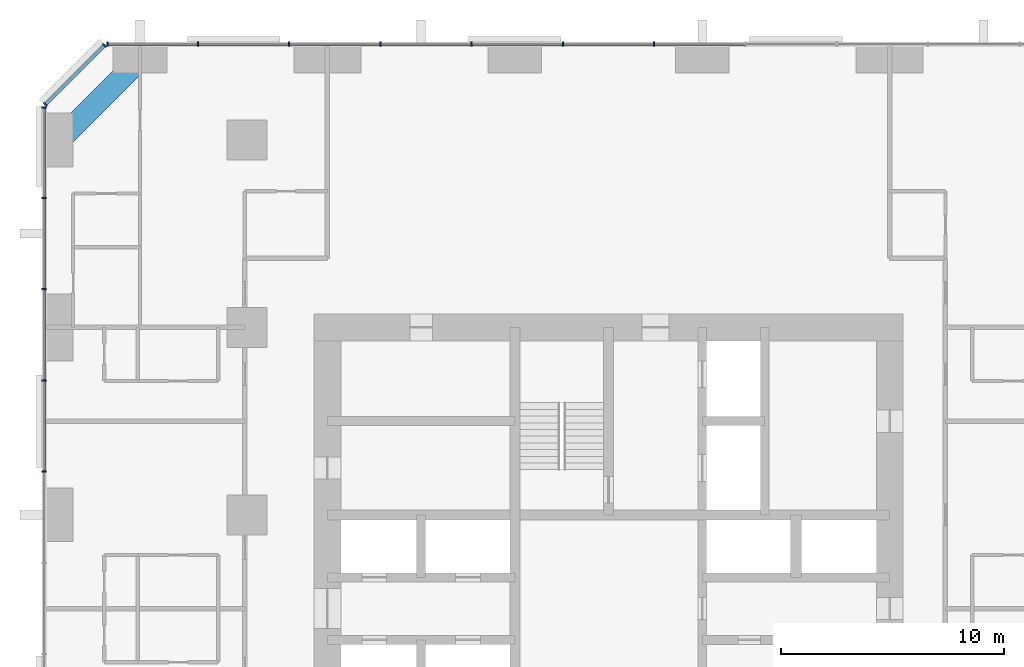
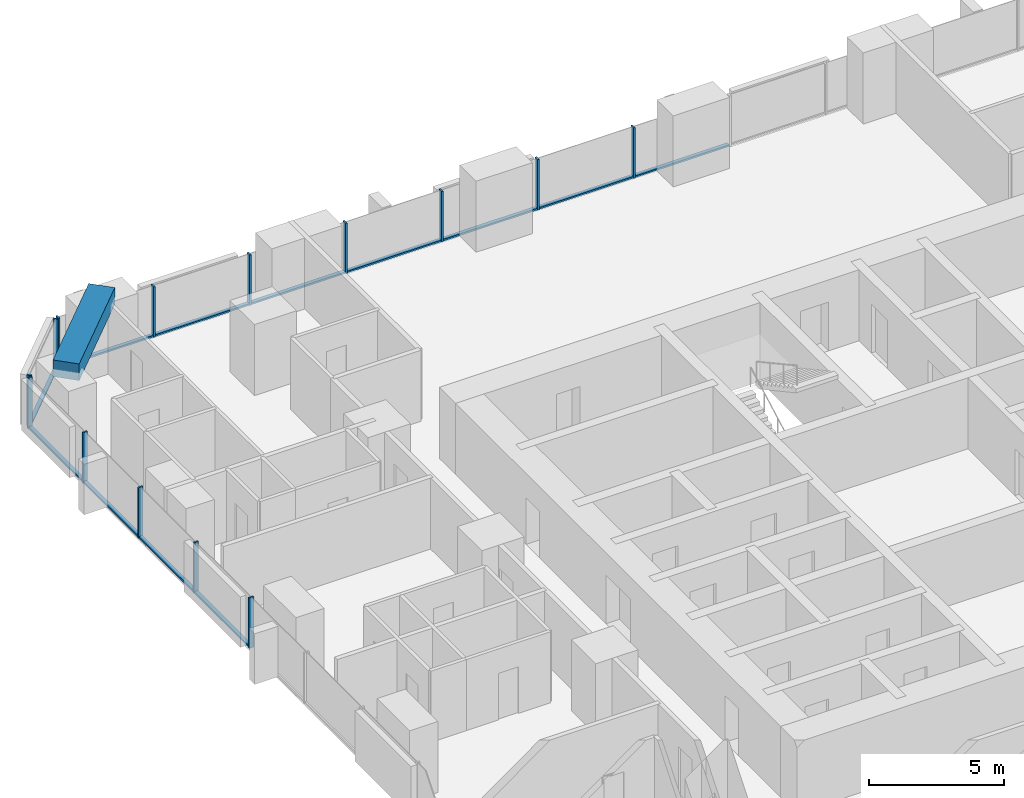
# One storey, part 5 of 13: 26 members, 1 beam, 3 elements without a shape of their own.
"""IFC4 building model written with IfcOpenShell, lengths in metres."""

from ifc_helpers import new_model, si_unit, direction, frame, origin, origin_2d, place, context, subcontext, project, spatial, rectangle, extrude, material, material_profile, profile_set, type_object, element, aggregate, save


model = new_model("IFC4")

# Units and contexts
model_context = context("Model", 3, precision=1e-05, world=origin(), true_north=direction((0.0, 1.0)))
body_context = subcontext(model_context, "Body", "Model", "MODEL_VIEW")
ifc_project = project(units=[si_unit("LENGTHUNIT", "METRE"), si_unit("AREAUNIT", "SQUARE_METRE"), si_unit("VOLUMEUNIT", "CUBIC_METRE"), si_unit("PLANEANGLEUNIT", "RADIAN"), si_unit("MASSUNIT", "GRAM", prefix="KILO")], contexts=[model_context])

# Site, building, storey
site_placement = place(None, origin())
site = spatial("IfcSite", under=ifc_project, at=site_placement, CompositionType="ELEMENT")
building_placement = place(site_placement, origin())
building = spatial("IfcBuilding", under=site, at=building_placement, Name="Dunama Terrace Hotel", CompositionType="ELEMENT")
storey_placement = place(building_placement, frame((0.0, 0.0, 216.60009765625)))
storey = spatial("IfcBuildingStorey", under=building, at=storey_placement, Name="L56", CompositionType="ELEMENT", Elevation=216.60009765625)

# Curtain wall, members
ifc_material_1 = material(Name="Aluminium curtain wall system", Category="aluminium")
curtain_wall_type = type_object("IfcCurtainWallType", Name="Unitised fritted glass wall CW-C", PredefinedType="NOTDEFINED", material=ifc_material_1)
curtain_wall_1_placement = place(storey_placement, origin())
curtain_wall_1 = element("IfcCurtainWall", 1, at=curtain_wall_1_placement, inside=storey, type_object=curtain_wall_type, Name="Unitised fritted glass wall CW-C L56", PredefinedType="NOTDEFINED")
ifc_material_2 = material(Name="Aluminium mullion", Category="aluminium")
ifc_material_profile_1 = material_profile(ifc_material_2, rectangle(XDim=0.070068359375, YDim=0.199951171875, at=origin_2d()), Name="CWC MULLION 70X200")
ifc_profile_set_1 = profile_set([ifc_material_profile_1], Name="Aluminium mullion")
member_type_1 = type_object("IfcMemberType", Name="CWC mullion 70x200", PredefinedType="MULLION", material=ifc_profile_set_1)
member_1_placement = place(storey_placement, frame((31.445068359375, 54.699951171875, 0.0), z_axis=(0.0, 0.0, 1.0), x_axis=(-1.0, 0.0, 0.0)))
member_1 = element("IfcMember", 2, at=member_1_placement, type_object=member_type_1, Name="CWC mullion", PredefinedType="MULLION", context=body_context, shape_type="SweptSolid", body=[
    extrude(rectangle(XDim=0.070068359375, YDim=0.199951171875, at=origin_2d()), origin(), (0.0, 0.0, 1.0), 2.27880859375),
])
member_2_placement = place(storey_placement, frame((27.35498046875, 54.699951171875, 0.0), z_axis=(0.0, 0.0, 1.0), x_axis=(-1.0, 0.0, 0.0)))
member_2 = element("IfcMember", 3, at=member_2_placement, type_object=member_type_1, Name="CWC mullion", PredefinedType="MULLION", context=body_context, shape_type="SweptSolid", body=[
    extrude(rectangle(XDim=0.070068359375, YDim=0.199951171875, at=origin_2d()), origin(), (0.0, 0.0, 1.0), 2.27880859375),
])
member_3_placement = place(storey_placement, frame((23.263916015625, 54.699951171875, 0.0), z_axis=(0.0, 0.0, 1.0), x_axis=(-1.0, 0.0, 0.0)))
member_3 = element("IfcMember", 4, at=member_3_placement, type_object=member_type_1, Name="CWC mullion", PredefinedType="MULLION", context=body_context, shape_type="SweptSolid", body=[
    extrude(rectangle(XDim=0.070068359375, YDim=0.199951171875, at=origin_2d()), origin(), (0.0, 0.0, 1.0), 2.27880859375),
])
member_4_placement = place(storey_placement, frame((19.173095703125, 54.699951171875, 0.0), z_axis=(0.0, 0.0, 1.0), x_axis=(-1.0, 0.0, 0.0)))
member_4 = element("IfcMember", 5, at=member_4_placement, type_object=member_type_1, Name="CWC mullion", PredefinedType="MULLION", context=body_context, shape_type="SweptSolid", body=[
    extrude(rectangle(XDim=0.070068359375, YDim=0.199951171875, at=origin_2d()), origin(), (0.0, 0.0, 1.0), 2.27880859375),
])
member_5_placement = place(storey_placement, frame((15.08203125, 54.699951171875, 0.0), z_axis=(0.0, 0.0, 1.0), x_axis=(-1.0, 0.0, 0.0)))
member_5 = element("IfcMember", 6, at=member_5_placement, type_object=member_type_1, Name="CWC mullion", PredefinedType="MULLION", context=body_context, shape_type="SweptSolid", body=[
    extrude(rectangle(XDim=0.070068359375, YDim=0.199951171875, at=origin_2d()), origin(), (0.0, 0.0, 1.0), 2.27880859375),
])
member_6_placement = place(storey_placement, frame((10.990966796875, 54.699951171875, 0.0), z_axis=(0.0, 0.0, 1.0), x_axis=(-1.0, 0.0, 0.0)))
member_6 = element("IfcMember", 7, at=member_6_placement, type_object=member_type_1, Name="CWC mullion", PredefinedType="MULLION", context=body_context, shape_type="SweptSolid", body=[
    extrude(rectangle(XDim=0.070068359375, YDim=0.199951171875, at=origin_2d()), origin(), (0.0, 0.0, 1.0), 2.27880859375),
])
member_7_placement = place(storey_placement, frame((6.93505859375, 54.699951171875, 0.0), z_axis=(0.0, 0.0, 1.0), x_axis=(-1.0, 0.0, 0.0)))
member_7 = element("IfcMember", 8, at=member_7_placement, type_object=member_type_1, Name="CWC mullion", PredefinedType="MULLION", context=body_context, shape_type="SweptSolid", body=[
    extrude(rectangle(XDim=0.070068359375, YDim=0.199951171875, at=origin_2d()), origin(), (0.0, 0.0, 1.0), 2.27880859375),
])

curtain_wall_2_placement = place(storey_placement, origin())
curtain_wall_2 = element("IfcCurtainWall", 9, at=curtain_wall_2_placement, inside=storey, type_object=curtain_wall_type, Name="Unitised fritted glass wall CW-C L56", PredefinedType="NOTDEFINED")
member_8_placement = place(storey_placement, frame((6.804931640625, 54.64599609375, 0.0), z_axis=(0.0, 0.0, 1.0), x_axis=(-0.707106781187, -0.707106781187, 0.0)))
member_8 = element("IfcMember", 10, at=member_8_placement, type_object=member_type_1, Name="CWC mullion", PredefinedType="MULLION", context=body_context, shape_type="SweptSolid", body=[
    extrude(rectangle(XDim=0.070068359375, YDim=0.199951171875, at=origin_2d()), origin(), (0.0, 0.0, 1.0), 2.27880859375),
])
member_9_placement = place(storey_placement, frame((4.154052734375, 51.9951171875, 0.0), z_axis=(0.0, 0.0, 1.0), x_axis=(-0.707106781187, -0.707106781187, 0.0)))
member_9 = element("IfcMember", 11, at=member_9_placement, type_object=member_type_1, Name="CWC mullion", PredefinedType="MULLION", context=body_context, shape_type="SweptSolid", body=[
    extrude(rectangle(XDim=0.070068359375, YDim=0.199951171875, at=origin_2d()), origin(), (0.0, 0.0, 1.0), 2.27880859375),
])

curtain_wall_3_placement = place(storey_placement, origin())
curtain_wall_3 = element("IfcCurtainWall", 12, at=curtain_wall_3_placement, inside=storey, type_object=curtain_wall_type, Name="Unitised fritted glass wall CW-C L56", PredefinedType="NOTDEFINED")
member_10_placement = place(storey_placement, frame((4.10009765625, 51.864990234375, 0.0), z_axis=(0.0, 0.0, 1.0), x_axis=(0.0, -1.0, 0.0)))
member_10 = element("IfcMember", 13, at=member_10_placement, type_object=member_type_1, Name="CWC mullion", PredefinedType="MULLION", context=body_context, shape_type="SweptSolid", body=[
    extrude(rectangle(XDim=0.070068359375, YDim=0.199951171875, at=origin_2d()), origin(), (0.0, 0.0, 1.0), 2.27880859375),
])
member_11_placement = place(storey_placement, frame((4.10009765625, 47.80908203125, 0.0), z_axis=(0.0, 0.0, 1.0), x_axis=(0.0, -1.0, 0.0)))
member_11 = element("IfcMember", 14, at=member_11_placement, type_object=member_type_1, Name="CWC mullion", PredefinedType="MULLION", context=body_context, shape_type="SweptSolid", body=[
    extrude(rectangle(XDim=0.070068359375, YDim=0.199951171875, at=origin_2d()), origin(), (0.0, 0.0, 1.0), 2.27880859375),
])
member_12_placement = place(storey_placement, frame((4.10009765625, 43.718017578125, 0.0), z_axis=(0.0, 0.0, 1.0), x_axis=(0.0, -1.0, 0.0)))
member_12 = element("IfcMember", 15, at=member_12_placement, type_object=member_type_1, Name="CWC mullion", PredefinedType="MULLION", context=body_context, shape_type="SweptSolid", body=[
    extrude(rectangle(XDim=0.070068359375, YDim=0.199951171875, at=origin_2d()), origin(), (0.0, 0.0, 1.0), 2.27880859375),
])
member_13_placement = place(storey_placement, frame((4.10009765625, 39.626953125, 0.0), z_axis=(0.0, 0.0, 1.0), x_axis=(0.0, -1.0, 0.0)))
member_13 = element("IfcMember", 16, at=member_13_placement, type_object=member_type_1, Name="CWC mullion", PredefinedType="MULLION", context=body_context, shape_type="SweptSolid", body=[
    extrude(rectangle(XDim=0.070068359375, YDim=0.199951171875, at=origin_2d()), origin(), (0.0, 0.0, 1.0), 2.27880859375),
])
member_14_placement = place(storey_placement, frame((4.10009765625, 35.535888671875, 0.0), z_axis=(0.0, 0.0, 1.0), x_axis=(0.0, -1.0, 0.0)))
member_14 = element("IfcMember", 17, at=member_14_placement, type_object=member_type_1, Name="CWC mullion", PredefinedType="MULLION", context=body_context, shape_type="SweptSolid", body=[
    extrude(rectangle(XDim=0.070068359375, YDim=0.199951171875, at=origin_2d()), origin(), (0.0, 0.0, 1.0), 2.27880859375),
])

# Member
ifc_material_3 = material(Name="Aluminium transom", Category="aluminium")
ifc_material_profile_2 = material_profile(ifc_material_3, rectangle(XDim=0.159912109375, YDim=0.080078125, at=origin_2d()), Name="CWC TRANSOM 160X80")
ifc_profile_set_2 = profile_set([ifc_material_profile_2], Name="Aluminium transom")
member_type_2 = type_object("IfcMemberType", Name="CWC transom 160x80", PredefinedType="USERDEFINED", material=ifc_profile_set_2)
member_15_placement = place(storey_placement, frame((35.5009765625, 54.699951171875, 0.039794921875), z_axis=(-1.0, 0.0, 0.0), x_axis=(0.0, -1.0, 0.0)))
member_15 = element("IfcMember", 18, at=member_15_placement, type_object=member_type_2, Name="CWC transom", ObjectType="TRANSOM", PredefinedType="USERDEFINED", context=body_context, shape_type="SweptSolid", body=[
    extrude(rectangle(XDim=0.159912109375, YDim=0.080078125, at=origin_2d()), origin(), (0.0, 0.0, 1.0), 4.02099609375),
])

member_16_placement = place(storey_placement, frame((31.409912109375, 54.699951171875, 0.039794921875), z_axis=(-1.0, 0.0, 0.0), x_axis=(0.0, -1.0, 0.0)))
member_16 = element("IfcMember", 19, at=member_16_placement, type_object=member_type_2, Name="CWC transom", ObjectType="TRANSOM", PredefinedType="USERDEFINED", context=body_context, shape_type="SweptSolid", body=[
    extrude(rectangle(XDim=0.159912109375, YDim=0.080078125, at=origin_2d()), origin(), (0.0, 0.0, 1.0), 4.02001953125),
])

member_17_placement = place(storey_placement, frame((27.320068359375, 54.699951171875, 0.039794921875), z_axis=(-1.0, 0.0, 0.0), x_axis=(0.0, -1.0, 0.0)))
member_17 = element("IfcMember", 20, at=member_17_placement, type_object=member_type_2, Name="CWC transom", ObjectType="TRANSOM", PredefinedType="USERDEFINED", context=body_context, shape_type="SweptSolid", body=[
    extrude(rectangle(XDim=0.159912109375, YDim=0.080078125, at=origin_2d()), origin(), (0.0, 0.0, 1.0), 4.02099609375),
])

member_18_placement = place(storey_placement, frame((23.22900390625, 54.699951171875, 0.039794921875), z_axis=(-1.0, 0.0, 0.0), x_axis=(0.0, -1.0, 0.0)))
member_18 = element("IfcMember", 21, at=member_18_placement, type_object=member_type_2, Name="CWC transom", ObjectType="TRANSOM", PredefinedType="USERDEFINED", context=body_context, shape_type="SweptSolid", body=[
    extrude(rectangle(XDim=0.159912109375, YDim=0.080078125, at=origin_2d()), origin(), (0.0, 0.0, 1.0), 4.02099609375),
])

member_19_placement = place(storey_placement, frame((19.137939453125, 54.699951171875, 0.039794921875), z_axis=(-1.0, 0.0, 0.0), x_axis=(0.0, -1.0, 0.0)))
member_19 = element("IfcMember", 22, at=member_19_placement, type_object=member_type_2, Name="CWC transom", ObjectType="TRANSOM", PredefinedType="USERDEFINED", context=body_context, shape_type="SweptSolid", body=[
    extrude(rectangle(XDim=0.159912109375, YDim=0.080078125, at=origin_2d()), origin(), (0.0, 0.0, 1.0), 4.02099609375),
])

member_20_placement = place(storey_placement, frame((15.047119140625, 54.699951171875, 0.039794921875), z_axis=(-1.0, 0.0, 0.0), x_axis=(0.0, -1.0, 0.0)))
member_20 = element("IfcMember", 23, at=member_20_placement, type_object=member_type_2, Name="CWC transom", ObjectType="TRANSOM", PredefinedType="USERDEFINED", context=body_context, shape_type="SweptSolid", body=[
    extrude(rectangle(XDim=0.159912109375, YDim=0.080078125, at=origin_2d()), origin(), (0.0, 0.0, 1.0), 4.021240234375),
])

member_21_placement = place(storey_placement, frame((10.9560546875, 54.699951171875, 0.039794921875), z_axis=(-1.0, 0.0, 0.0), x_axis=(0.0, -1.0, 0.0)))
member_21 = element("IfcMember", 24, at=member_21_placement, type_object=member_type_2, Name="CWC transom", ObjectType="TRANSOM", PredefinedType="USERDEFINED", context=body_context, shape_type="SweptSolid", body=[
    extrude(rectangle(XDim=0.159912109375, YDim=0.080078125, at=origin_2d()), origin(), (0.0, 0.0, 1.0), 3.986083984375),
])

aggregate(curtain_wall_1, [member_1, member_2, member_3, member_4, member_5, member_6, member_7, member_15, member_16, member_17, member_18, member_19, member_20, member_21])

member_22_placement = place(storey_placement, frame((6.780029296875, 54.62109375, 0.039794921875), z_axis=(-0.707106781187, -0.707106781187, 0.0), x_axis=(0.707106781187, -0.707106781187, 0.0)))
member_22 = element("IfcMember", 25, at=member_22_placement, type_object=member_type_2, Name="CWC transom", ObjectType="TRANSOM", PredefinedType="USERDEFINED", context=body_context, shape_type="SweptSolid", body=[
    extrude(rectangle(XDim=0.159912109375, YDim=0.080078125, at=origin_2d()), origin(), (0.0, 0.0, 1.0), 3.678466796875),
])

aggregate(curtain_wall_2, [member_8, member_9, member_22])

member_23_placement = place(storey_placement, frame((4.10009765625, 51.830078125, 0.039794921875), z_axis=(0.0, -1.0, 0.0), x_axis=(1.0, 0.0, 0.0)))
member_23 = element("IfcMember", 26, at=member_23_placement, type_object=member_type_2, Name="CWC transom", ObjectType="TRANSOM", PredefinedType="USERDEFINED", context=body_context, shape_type="SweptSolid", body=[
    extrude(rectangle(XDim=0.159912109375, YDim=0.080078125, at=origin_2d()), origin(), (0.0, 0.0, 1.0), 3.986083984375),
])

member_24_placement = place(storey_placement, frame((4.10009765625, 47.77392578125, 0.039794921875), z_axis=(0.0, -1.0, 0.0), x_axis=(1.0, 0.0, 0.0)))
member_24 = element("IfcMember", 27, at=member_24_placement, type_object=member_type_2, Name="CWC transom", ObjectType="TRANSOM", PredefinedType="USERDEFINED", context=body_context, shape_type="SweptSolid", body=[
    extrude(rectangle(XDim=0.159912109375, YDim=0.080078125, at=origin_2d()), origin(), (0.0, 0.0, 1.0), 4.02099609375),
])

member_25_placement = place(storey_placement, frame((4.10009765625, 43.68310546875, 0.039794921875), z_axis=(0.0, -1.0, 0.0), x_axis=(1.0, 0.0, 0.0)))
member_25 = element("IfcMember", 28, at=member_25_placement, type_object=member_type_2, Name="CWC transom", ObjectType="TRANSOM", PredefinedType="USERDEFINED", context=body_context, shape_type="SweptSolid", body=[
    extrude(rectangle(XDim=0.159912109375, YDim=0.080078125, at=origin_2d()), origin(), (0.0, 0.0, 1.0), 4.02099609375),
])

member_26_placement = place(storey_placement, frame((4.10009765625, 39.592041015625, 0.039794921875), z_axis=(0.0, -1.0, 0.0), x_axis=(1.0, 0.0, 0.0)))
member_26 = element("IfcMember", 29, at=member_26_placement, type_object=member_type_2, Name="CWC transom", ObjectType="TRANSOM", PredefinedType="USERDEFINED", context=body_context, shape_type="SweptSolid", body=[
    extrude(rectangle(XDim=0.159912109375, YDim=0.080078125, at=origin_2d()), origin(), (0.0, 0.0, 1.0), 4.02099609375),
])

aggregate(curtain_wall_3, [member_10, member_11, member_12, member_13, member_14, member_23, member_24, member_25, member_26])

# Beam
ifc_material_4 = material(Name="Concrete C50/60", Category="concrete")
ifc_material_profile_3 = material_profile(ifc_material_4, rectangle(XDim=1.0, YDim=0.75, at=origin_2d()), Name="RC 1000x750")
ifc_profile_set_3 = profile_set([ifc_material_profile_3], Name="Concrete C50/60")
beam_type = type_object("IfcBeamType", Name="Edge beam RC 1000x750", PredefinedType="SPANDREL", material=ifc_profile_set_3)
beam_placement = place(storey_placement, frame((8.39990234375, 54.0, 3.224853515625), z_axis=(-0.707082803744, -0.707130757816, 0.0), x_axis=(0.707130757816, -0.707082803744, 0.0)))
element("IfcBeam", 30, at=beam_placement, inside=storey, type_object=beam_type, Name="Corner edge beam under L57", PredefinedType="SPANDREL", context=body_context, shape_type="SweptSolid", body=[
    extrude(rectangle(XDim=1.0, YDim=0.75, at=origin_2d()), origin(), (0.0, 0.0, 1.0), 5.091064453125),
])

save(model, "model.ifc")
